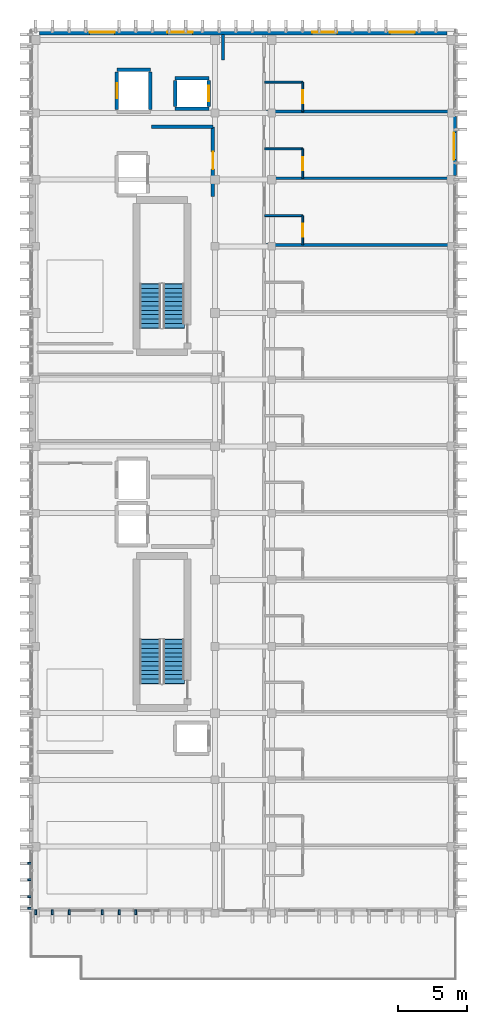
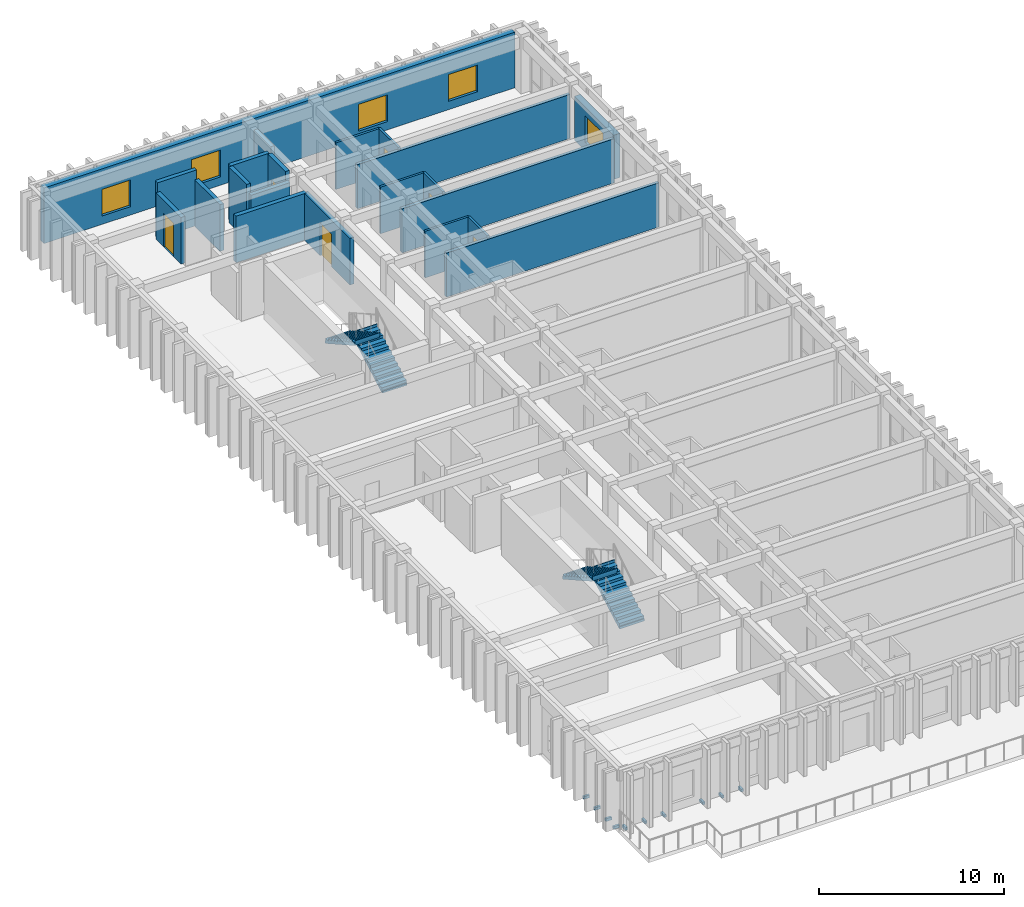
# One storey, part 44 of 50: 21 walls, 10 discrete accessories, 6 doors, 5 windows, 4 stair flights, 11 openings, 2 elements without a shape of their own.
"""IFC4 building model written with IfcOpenShell, lengths in metres."""

from ifc_helpers import new_model, si_unit, direction, frame, frame_2d, origin, origin_2d, place, context, subcontext, project, spatial, polyline, rectangle, outline, extrude, material, layer, layer_set, type_object, element, fill, aggregate, save


model = new_model("IFC4")

# Units and contexts
model_context = context("Model", 3, precision=1e-05, world=origin(), true_north=direction((0.0, 1.0)))
body_context = subcontext(model_context, "Body", "Model", "MODEL_VIEW")
ifc_project = project(units=[si_unit("LENGTHUNIT", "METRE"), si_unit("AREAUNIT", "SQUARE_METRE"), si_unit("VOLUMEUNIT", "CUBIC_METRE"), si_unit("PLANEANGLEUNIT", "RADIAN"), si_unit("MASSUNIT", "GRAM", prefix="KILO")], contexts=[model_context])

# Site, building, storey
site_placement = place(None, origin())
site = spatial("IfcSite", under=ifc_project, at=site_placement, CompositionType="ELEMENT")
building_placement = place(site_placement, origin())
building = spatial("IfcBuilding", under=site, at=building_placement, Name="Nakhvara Creek Congress Hotel", CompositionType="ELEMENT")
storey_placement = place(building_placement, frame((0.0, 0.0, 42.60009765625)))
storey = spatial("IfcBuildingStorey", under=building, at=storey_placement, Name="L10", CompositionType="ELEMENT", Elevation=42.60009765625)

# Wall
ifc_material_1 = material(Name="Gypsum acoustic board on steel stud", Category="steel")
ifc_layer_1 = layer(ifc_material_1, 0.219970703125)
ifc_layer_set_1 = layer_set([ifc_layer_1], Name="Gypsum acoustic board on steel stud")
wall_type_1 = type_object("IfcWallType", Name="W-CORR-220", PredefinedType="PARTITIONING", material=ifc_layer_set_1)
wall_1_placement = place(storey_placement, frame((162.919921875, 123.800048828125, 0.0), z_axis=(0.0, 0.0, 1.0), x_axis=(0.0, 1.0, 0.0)))
element("IfcWall", 1, at=wall_1_placement, inside=storey, type_object=wall_type_1, Name="Interior Wall WP11-IW-L10-0703", PredefinedType="PARTITIONING", context=body_context, shape_type="SweptSolid", body=[
    extrude(rectangle(XDim=1.849853515625, YDim=0.219970703125, at=frame_2d((0.9248046875, 0.0))), origin(), (0.0, 0.0, 1.0), 2.90185546875),
])

# Wall, opening, door
ifc_material_2 = material(Name="Moisture-resistant gypsum board partition")
ifc_layer_2 = layer(ifc_material_2, 0.139892578125)
ifc_layer_set_2 = layer_set([ifc_layer_2], Name="Moisture-resistant gypsum board partition")
wall_type_2 = type_object("IfcWallType", Name="W-ENS-140", PredefinedType="PARTITIONING", material=ifc_layer_set_2)
wall_2_placement = place(storey_placement, frame((168.669921875, 110.5, 0.0), z_axis=(0.0, 0.0, 1.0), x_axis=(0.0, 1.0, 0.0)))
wall_2 = element("IfcWall", 2, at=wall_2_placement, inside=storey, type_object=wall_type_2, Name="Interior Wall WP15-IW-L10-0742", PredefinedType="PARTITIONING", context=body_context, shape_type="SweptSolid", body=[
    extrude(rectangle(XDim=2.115966796875, YDim=0.139892578125, at=frame_2d((1.05810546875, 0.0))), origin(), (0.0, 0.0, 1.0), 3.072021484375),
])
opening_1_placement = place(wall_2_placement, frame((0.5830078125, 0.0, 0.0)))
opening_1 = element("IfcOpeningElement", 3, at=opening_1_placement, cuts=wall_2, Name="Opening ID02", PredefinedType="OPENING", context=body_context, shape_type="SweptSolid", body=[
    extrude(rectangle(XDim=0.9599609375, YDim=2.1201171875, at=frame_2d((0.47998046875, 1.06005859375))), frame((0.0, 0.08203125, 0.0), z_axis=(0.0, -1.0, 0.0), x_axis=(1.0, 0.0, 0.0)), (0.0, 0.0, 1.0), 0.163818359375),
])
ifc_material_3 = material(Name="Moisture-resistant walnut timber door", Category="wood")
door_type_1 = type_object("IfcDoorType", Name="DT-ENS-096", OperationType="NOTDEFINED", PredefinedType="DOOR", material=ifc_material_3)
door_1_placement = place(opening_1_placement, frame((0.9599609375, 0.0, 0.0), z_axis=(0.0, 0.0, 1.0), x_axis=(-1.0, 0.0, 0.0)))
door_1 = element("IfcDoor", 4, at=door_1_placement, inside=storey, type_object=door_type_1, Name="Interior Door ID02-0535", OperationType="SINGLE_SWING_RIGHT", OverallHeight=2.1201171875, OverallWidth=0.9599609375, PredefinedType="DOOR", context=body_context, shape_type="SweptSolid", body=[
    extrude(rectangle(XDim=0.9599609375, YDim=2.1201171875, at=frame_2d((0.47998046875, 1.06005859375))), frame((0.0, 0.02490234375, 0.0), z_axis=(0.0, -1.0, 0.0), x_axis=(1.0, 0.0, 0.0)), (0.0, 0.0, 1.0), 0.050048828125),
])
fill(opening_1, door_1)

# Wall
wall_3_placement = place(storey_placement, frame((165.919921875, 112.615966796875, 0.0), z_axis=(0.0, 0.0, 1.0), x_axis=(1.0, 0.0, 0.0)))
element("IfcWall", 5, at=wall_3_placement, inside=storey, type_object=wall_type_2, Name="Interior Wall WP15-IW-L10-0743", PredefinedType="PARTITIONING", context=body_context, shape_type="SweptSolid", body=[
    extrude(rectangle(XDim=2.75, YDim=0.139892578125, at=frame_2d((1.375, 0.0))), origin(), (0.0, 0.0, 1.0), 3.072021484375),
])

# Wall, opening, door
wall_4_placement = place(storey_placement, frame((168.669921875, 115.300048828125, 0.0), z_axis=(0.0, 0.0, 1.0), x_axis=(0.0, 1.0, 0.0)))
wall_4 = element("IfcWall", 6, at=wall_4_placement, inside=storey, type_object=wall_type_2, Name="Interior Wall WP15-IW-L10-0745", PredefinedType="PARTITIONING", context=body_context, shape_type="SweptSolid", body=[
    extrude(rectangle(XDim=2.115966796875, YDim=0.139892578125, at=frame_2d((1.05810546875, 0.0))), origin(), (0.0, 0.0, 1.0), 3.072021484375),
])
opening_2_placement = place(wall_4_placement, frame((0.5830078125, 0.0, 0.0)))
opening_2 = element("IfcOpeningElement", 7, at=opening_2_placement, cuts=wall_4, Name="Opening ID01", PredefinedType="OPENING", context=body_context, shape_type="SweptSolid", body=[
    extrude(rectangle(XDim=0.919921875, YDim=2.10009765625, at=frame_2d((0.4599609375, 1.050048828125))), frame((0.0, 0.08203125, 0.0), z_axis=(0.0, -1.0, 0.0), x_axis=(1.0, 0.0, 0.0)), (0.0, 0.0, 1.0), 0.163818359375),
])
door_type_2 = type_object("IfcDoorType", Name="DT-ENS-092", OperationType="NOTDEFINED", PredefinedType="DOOR", material=ifc_material_3)
door_2_placement = place(opening_2_placement, frame((0.919921875, 0.0, 0.0), z_axis=(0.0, 0.0, 1.0), x_axis=(-1.0, 0.0, 0.0)))
door_2 = element("IfcDoor", 8, at=door_2_placement, inside=storey, type_object=door_type_2, Name="Interior Door ID01-0537", OperationType="SINGLE_SWING_RIGHT", OverallHeight=2.10009765625, OverallWidth=0.919921875, PredefinedType="DOOR", context=body_context, shape_type="SweptSolid", body=[
    extrude(rectangle(XDim=0.919921875, YDim=2.10009765625, at=frame_2d((0.4599609375, 1.050048828125))), frame((0.0, 0.02490234375, 0.0), z_axis=(0.0, -1.0, 0.0), x_axis=(1.0, 0.0, 0.0)), (0.0, 0.0, 1.0), 0.050048828125),
])
fill(opening_2, door_2)

# Wall
wall_5_placement = place(storey_placement, frame((165.919921875, 117.416015625, 0.0), z_axis=(0.0, 0.0, 1.0), x_axis=(1.0, 0.0, 0.0)))
element("IfcWall", 9, at=wall_5_placement, inside=storey, type_object=wall_type_2, Name="Interior Wall WP15-IW-L10-0746", PredefinedType="PARTITIONING", context=body_context, shape_type="SweptSolid", body=[
    extrude(rectangle(XDim=2.75, YDim=0.139892578125, at=frame_2d((1.375, 0.0))), origin(), (0.0, 0.0, 1.0), 3.072021484375),
])

# Wall, opening, door
wall_6_placement = place(storey_placement, frame((168.669921875, 120.10009765625, 0.0), z_axis=(0.0, 0.0, 1.0), x_axis=(0.0, 1.0, 0.0)))
wall_6 = element("IfcWall", 10, at=wall_6_placement, inside=storey, type_object=wall_type_2, Name="Interior Wall WP15-IW-L10-0748", PredefinedType="PARTITIONING", context=body_context, shape_type="SweptSolid", body=[
    extrude(rectangle(XDim=2.115966796875, YDim=0.139892578125, at=frame_2d((1.05810546875, 0.0))), origin(), (0.0, 0.0, 1.0), 3.072021484375),
])
opening_3_placement = place(wall_6_placement, frame((0.5830078125, 0.0, 0.0)))
opening_3 = element("IfcOpeningElement", 11, at=opening_3_placement, cuts=wall_6, Name="Opening ID02", PredefinedType="OPENING", context=body_context, shape_type="SweptSolid", body=[
    extrude(rectangle(XDim=0.9599609375, YDim=2.1201171875, at=frame_2d((0.47998046875, 1.06005859375))), frame((0.0, 0.08203125, 0.0), z_axis=(0.0, -1.0, 0.0), x_axis=(1.0, 0.0, 0.0)), (0.0, 0.0, 1.0), 0.163818359375),
])
door_3_placement = place(opening_3_placement, frame((0.9599609375, 0.0, 0.0), z_axis=(0.0, 0.0, 1.0), x_axis=(-1.0, 0.0, 0.0)))
door_3 = element("IfcDoor", 12, at=door_3_placement, inside=storey, type_object=door_type_1, Name="Interior Door ID02-0539", OperationType="SINGLE_SWING_RIGHT", OverallHeight=2.1201171875, OverallWidth=0.9599609375, PredefinedType="DOOR", context=body_context, shape_type="SweptSolid", body=[
    extrude(rectangle(XDim=0.9599609375, YDim=2.1201171875, at=frame_2d((0.47998046875, 1.06005859375))), frame((0.0, 0.02490234375, 0.0), z_axis=(0.0, -1.0, 0.0), x_axis=(1.0, 0.0, 0.0)), (0.0, 0.0, 1.0), 0.050048828125),
])
fill(opening_3, door_3)

# Wall
wall_7_placement = place(storey_placement, frame((165.919921875, 122.216064453125, 0.0), z_axis=(0.0, 0.0, 1.0), x_axis=(1.0, 0.0, 0.0)))
element("IfcWall", 13, at=wall_7_placement, inside=storey, type_object=wall_type_2, Name="Interior Wall WP15-IW-L10-0749", PredefinedType="PARTITIONING", context=body_context, shape_type="SweptSolid", body=[
    extrude(rectangle(XDim=2.75, YDim=0.139892578125, at=frame_2d((1.375, 0.0))), origin(), (0.0, 0.0, 1.0), 3.072021484375),
])

# Wall, openings, windows
ifc_material_4 = material(Name="Honed pale Omani limestone cladding", Category="masonry")
ifc_layer_3 = layer(ifc_material_4, 0.050048828125)
ifc_material_5 = material(Name="Mineral wool thermal insulation")
ifc_layer_4 = layer(ifc_material_5, 0.110107421875)
ifc_material_6 = material(Name="Precast concrete C40/50", Category="concrete")
ifc_layer_5 = layer(ifc_material_6, 0.219970703125)
ifc_layer_set_3 = layer_set([ifc_layer_3, ifc_layer_4, ifc_layer_5], Name="Precast concrete C40/50")
wall_type_3 = type_object("IfcWallType", Name="W-EXT-380", PredefinedType="SOLIDWALL", material=ifc_layer_set_3)
wall_8_placement = place(storey_placement, frame((149.735107421875, 125.81005859375, 0.0), z_axis=(0.0, 0.0, 1.0), x_axis=(1.0, 0.0, 0.0)))
wall_8 = element("IfcWall", 14, at=wall_8_placement, inside=storey, type_object=wall_type_3, Name="Exterior Wall WE03-EW-L10-0211", PredefinedType="SOLIDWALL", context=body_context, shape_type="SweptSolid", body=[
    extrude(rectangle(XDim=29.329833984375, YDim=0.3798828125, at=frame_2d((14.6650390625, 0.0))), origin(), (0.0, 0.0, 1.0), 3.659912109375),
])
opening_4_placement = place(wall_8_placement, frame((3.60009765625, 0.0, 0.550048828125)))
opening_4 = element("IfcOpeningElement", 15, at=opening_4_placement, cuts=wall_8, Name="Opening WN0228", PredefinedType="OPENING", context=body_context, shape_type="SweptSolid", body=[
    extrude(rectangle(XDim=1.800048828125, YDim=1.760009765625, at=frame_2d((0.89990234375, 0.8798828125))), frame((0.0, 0.201904296875, 0.0), z_axis=(0.0, -1.0, 0.0), x_axis=(1.0, 0.0, 0.0)), (0.0, 0.0, 1.0), 0.40380859375),
])
opening_5_placement = place(wall_8_placement, frame((9.199951171875, 0.0, 0.550048828125)))
opening_5 = element("IfcOpeningElement", 16, at=opening_5_placement, cuts=wall_8, Name="Opening WN0229", PredefinedType="OPENING", context=body_context, shape_type="SweptSolid", body=[
    extrude(rectangle(XDim=1.800048828125, YDim=1.760009765625, at=frame_2d((0.89990234375, 0.8798828125))), frame((0.0, 0.201904296875, 0.0), z_axis=(0.0, -1.0, 0.0), x_axis=(1.0, 0.0, 0.0)), (0.0, 0.0, 1.0), 0.40380859375),
])
opening_6_placement = place(wall_8_placement, frame((19.60009765625, 0.0, 0.550048828125)))
opening_6 = element("IfcOpeningElement", 17, at=opening_6_placement, cuts=wall_8, Name="Opening WN0230", PredefinedType="OPENING", context=body_context, shape_type="SweptSolid", body=[
    extrude(rectangle(XDim=1.800048828125, YDim=1.760009765625, at=frame_2d((0.89990234375, 0.8798828125))), frame((0.0, 0.201904296875, 0.0), z_axis=(0.0, -1.0, 0.0), x_axis=(1.0, 0.0, 0.0)), (0.0, 0.0, 1.0), 0.40380859375),
])
opening_7_placement = place(wall_8_placement, frame((25.199951171875, 0.0, 0.550048828125)))
opening_7 = element("IfcOpeningElement", 18, at=opening_7_placement, cuts=wall_8, Name="Opening WN0231", PredefinedType="OPENING", context=body_context, shape_type="SweptSolid", body=[
    extrude(rectangle(XDim=1.800048828125, YDim=1.760009765625, at=frame_2d((0.89990234375, 0.8798828125))), frame((0.0, 0.201904296875, 0.0), z_axis=(0.0, -1.0, 0.0), x_axis=(1.0, 0.0, 0.0)), (0.0, 0.0, 1.0), 0.40380859375),
])
ifc_material_7 = material(Name="Thermally broken bronze-anodised aluminium and double-silver low-E insulated glass", Category="aluminium")
window_type_1 = type_object("IfcWindowType", Name="WN-LAN-180X225", PartitioningType="SINGLE_PANEL", PredefinedType="WINDOW", material=ifc_material_7)
window_1_placement = place(opening_4_placement, origin())
window_1 = element("IfcWindow", 19, at=window_1_placement, inside=storey, type_object=window_type_1, Name="Facade Window WN0228", OverallHeight=1.760009765625, OverallWidth=1.800048828125, PartitioningType="SINGLE_PANEL", PredefinedType="WINDOW", context=body_context, shape_type="SweptSolid", body=[
    extrude(rectangle(XDim=1.800048828125, YDim=1.760009765625, at=frame_2d((0.89990234375, 0.8798828125))), frame((0.0, 0.030029296875, 0.0), z_axis=(0.0, -1.0, 0.0), x_axis=(1.0, 0.0, 0.0)), (0.0, 0.0, 1.0), 0.06005859375),
])
fill(opening_4, window_1)
window_2_placement = place(opening_5_placement, origin())
window_2 = element("IfcWindow", 20, at=window_2_placement, inside=storey, type_object=window_type_1, Name="Facade Window WN0229", OverallHeight=1.760009765625, OverallWidth=1.800048828125, PartitioningType="SINGLE_PANEL", PredefinedType="WINDOW", context=body_context, shape_type="SweptSolid", body=[
    extrude(rectangle(XDim=1.800048828125, YDim=1.760009765625, at=frame_2d((0.89990234375, 0.8798828125))), frame((0.0, 0.030029296875, 0.0), z_axis=(0.0, -1.0, 0.0), x_axis=(1.0, 0.0, 0.0)), (0.0, 0.0, 1.0), 0.06005859375),
])
fill(opening_5, window_2)
window_3_placement = place(opening_6_placement, origin())
window_3 = element("IfcWindow", 21, at=window_3_placement, inside=storey, type_object=window_type_1, Name="Facade Window WN0230", OverallHeight=1.760009765625, OverallWidth=1.800048828125, PartitioningType="SINGLE_PANEL", PredefinedType="WINDOW", context=body_context, shape_type="SweptSolid", body=[
    extrude(rectangle(XDim=1.800048828125, YDim=1.760009765625, at=frame_2d((0.89990234375, 0.8798828125))), frame((0.0, 0.030029296875, 0.0), z_axis=(0.0, -1.0, 0.0), x_axis=(1.0, 0.0, 0.0)), (0.0, 0.0, 1.0), 0.06005859375),
])
fill(opening_6, window_3)
window_4_placement = place(opening_7_placement, origin())
window_4 = element("IfcWindow", 22, at=window_4_placement, inside=storey, type_object=window_type_1, Name="Facade Window WN0231", OverallHeight=1.760009765625, OverallWidth=1.800048828125, PartitioningType="SINGLE_PANEL", PredefinedType="WINDOW", context=body_context, shape_type="SweptSolid", body=[
    extrude(rectangle(XDim=1.800048828125, YDim=1.760009765625, at=frame_2d((0.89990234375, 0.8798828125))), frame((0.0, 0.030029296875, 0.0), z_axis=(0.0, -1.0, 0.0), x_axis=(1.0, 0.0, 0.0)), (0.0, 0.0, 1.0), 0.06005859375),
])
fill(opening_7, window_4)

# Wall, opening, window
wall_9_placement = place(storey_placement, frame((179.56005859375, 119.75, 0.0), z_axis=(0.0, 0.0, 1.0), x_axis=(0.0, -1.0, 0.0)))
wall_9 = element("IfcWall", 23, at=wall_9_placement, inside=storey, type_object=wall_type_3, Name="Exterior Wall WE03-EW-L10-0220", PredefinedType="SOLIDWALL", context=body_context, shape_type="SweptSolid", body=[
    extrude(rectangle(XDim=4.264892578125, YDim=0.3798828125, at=frame_2d((2.13232421875, 0.0))), origin(), (0.0, 0.0, 1.0), 2.90185546875),
])
opening_8_placement = place(wall_9_placement, frame((1.157470703125, 0.0, 0.550048828125)))
opening_8 = element("IfcOpeningElement", 24, at=opening_8_placement, cuts=wall_9, Name="Opening WN0240", PredefinedType="OPENING", context=body_context, shape_type="SweptSolid", body=[
    extrude(rectangle(XDim=1.949951171875, YDim=1.77001953125, at=frame_2d((0.97509765625, 0.885009765625))), frame((0.0, 0.201904296875, 0.0), z_axis=(0.0, -1.0, 0.0), x_axis=(1.0, 0.0, 0.0)), (0.0, 0.0, 1.0), 0.40380859375),
])
window_type_2 = type_object("IfcWindowType", Name="WN-LAN-195X230", PartitioningType="SINGLE_PANEL", PredefinedType="WINDOW", material=ifc_material_7)
window_5_placement = place(opening_8_placement, origin())
window_5 = element("IfcWindow", 25, at=window_5_placement, inside=storey, type_object=window_type_2, Name="Facade Window WN0240", OverallHeight=1.77001953125, OverallWidth=1.949951171875, PartitioningType="SINGLE_PANEL", PredefinedType="WINDOW", context=body_context, shape_type="SweptSolid", body=[
    extrude(rectangle(XDim=1.949951171875, YDim=1.77001953125, at=frame_2d((0.97509765625, 0.885009765625))), frame((0.0, 0.030029296875, 0.0), z_axis=(0.0, -1.0, 0.0), x_axis=(1.0, 0.0, 0.0)), (0.0, 0.0, 1.0), 0.06005859375),
])
fill(opening_8, window_5)

# Wall, opening, door
ifc_material_8 = material(Name="Concrete C40/50", Category="concrete")
ifc_layer_6 = layer(ifc_material_8, 0.260009765625)
ifc_layer_set_4 = layer_set([ifc_layer_6], Name="Concrete C40/50")
wall_type_4 = type_object("IfcWallType", Name="W-FFL-260", PredefinedType="SOLIDWALL", material=ifc_layer_set_4)
wall_10_placement = place(storey_placement, frame((162.199951171875, 114.0, 0.0), z_axis=(0.0, 0.0, 1.0), x_axis=(0.0, 1.0, 0.0)))
wall_10 = element("IfcWall", 26, at=wall_10_placement, inside=storey, type_object=wall_type_4, Name="Core Shear Wall WI03-CWALL-L10-0500", PredefinedType="SOLIDWALL", context=body_context, shape_type="SweptSolid", body=[
    extrude(rectangle(XDim=5.0, YDim=0.260009765625, at=frame_2d((2.5, 0.0))), origin(), (0.0, 0.0, 1.0), 3.072021484375),
])
opening_9_placement = place(wall_10_placement, frame((1.949951171875, 0.0, 0.0)))
opening_9 = element("IfcOpeningElement", 27, at=opening_9_placement, cuts=wall_10, Name="Opening FD05", PredefinedType="OPENING", context=body_context, shape_type="SweptSolid", body=[
    extrude(rectangle(XDim=1.25, YDim=2.14990234375, at=frame_2d((0.625, 1.074951171875))), frame((0.0, 0.14208984375, 0.0), z_axis=(0.0, -1.0, 0.0), x_axis=(1.0, 0.0, 0.0)), (0.0, 0.0, 1.0), 0.283935546875),
])
ifc_material_9 = material(Name="Hardwood-veneered steel fire door", Category="steel")
door_type_3 = type_object("IfcDoorType", Name="DT-FFL-125", OperationType="NOTDEFINED", PredefinedType="DOOR", material=ifc_material_9)
door_4_placement = place(opening_9_placement, origin())
door_4 = element("IfcDoor", 28, at=door_4_placement, inside=storey, type_object=door_type_3, Name="Firefighting Lobby Door C2-L10", OperationType="DOUBLE_DOOR_SINGLE_SWING", OverallHeight=2.14990234375, OverallWidth=1.25, PredefinedType="DOOR", context=body_context, shape_type="SweptSolid", body=[
    extrude(rectangle(XDim=1.25, YDim=2.14990234375, at=frame_2d((0.625, 1.074951171875))), frame((0.0, 0.02490234375, 0.0), z_axis=(0.0, -1.0, 0.0), x_axis=(1.0, 0.0, 0.0)), (0.0, 0.0, 1.0), 0.050048828125),
])
fill(opening_9, door_4)

# Walls
wall_11_placement = place(storey_placement, frame((157.800048828125, 119.0, 0.0), z_axis=(0.0, 0.0, 1.0), x_axis=(1.0, 0.0, 0.0)))
element("IfcWall", 29, at=wall_11_placement, inside=storey, type_object=wall_type_4, Name="Core Shear Wall WI03-CWALL-L10-0501", PredefinedType="SOLIDWALL", context=body_context, shape_type="SweptSolid", body=[
    extrude(rectangle(XDim=4.39990234375, YDim=0.260009765625, at=frame_2d((2.199951171875, 0.0))), origin(), (0.0, 0.0, 1.0), 3.072021484375),
])
ifc_layer_7 = layer(ifc_material_1, 0.199951171875)
ifc_layer_set_5 = layer_set([ifc_layer_7], Name="Gypsum acoustic board on steel stud")
wall_type_5 = type_object("IfcWallType", Name="W-PART-200", PredefinedType="PARTITIONING", material=ifc_layer_set_5)
for number, where, z_axis, x_axis, name in (
    (30, (166.02001953125, 110.5, 0.0), (0.0, 0.0, 1.0), (1.0, 0.0, 0.0), "Interior Wall WP12-IW-L10-0741"),
    (31, (166.02001953125, 115.300048828125, 0.0), (0.0, 0.0, 1.0), (1.0, 0.0, 0.0), "Interior Wall WP12-IW-L10-0744"),
    (32, (166.02001953125, 120.10009765625, 0.0), (0.0, 0.0, 1.0), (1.0, 0.0, 0.0), "Interior Wall WP12-IW-L10-0747"),
):
    element("IfcWall", number, at=place(storey_placement, frame(where, z_axis=z_axis, x_axis=x_axis)), inside=storey, type_object=wall_type_5, Name=name, PredefinedType="PARTITIONING", context=body_context, shape_type="SweptSolid", body=[
        extrude(rectangle(XDim=13.22998046875, YDim=0.199951171875, at=frame_2d((6.614990234375, 0.0))), origin(), (0.0, 0.0, 1.0), 2.90185546875),
    ])
ifc_layer_8 = layer(ifc_material_8, 0.25)
ifc_layer_set_6 = layer_set([ifc_layer_8], Name="Concrete C40/50")
wall_type_6 = type_object("IfcWallType", Name="W-SHAFT-250", PredefinedType="SOLIDWALL", material=ifc_layer_set_6)
wall_12_placement = place(storey_placement, frame((159.489990234375, 120.2900390625, 0.0), z_axis=(0.0, 0.0, 1.0), x_axis=(1.0, 0.0, 0.0)))
element("IfcWall", 33, at=wall_12_placement, inside=storey, type_object=wall_type_6, Name="Core Shear Wall WI02-CWALL-L10-0492", PredefinedType="SOLIDWALL", context=body_context, shape_type="SweptSolid", body=[
    extrude(rectangle(XDim=2.419921875, YDim=0.25, at=frame_2d((1.2099609375, 0.0))), origin(), (0.0, 0.0, 1.0), 3.072021484375),
])
wall_13_placement = place(storey_placement, frame((159.489990234375, 122.510009765625, 0.0), z_axis=(0.0, 0.0, 1.0), x_axis=(1.0, 0.0, 0.0)))
element("IfcWall", 34, at=wall_13_placement, inside=storey, type_object=wall_type_6, Name="Core Shear Wall WI02-CWALL-L10-0493", PredefinedType="SOLIDWALL", context=body_context, shape_type="SweptSolid", body=[
    extrude(rectangle(XDim=2.419921875, YDim=0.25, at=frame_2d((1.2099609375, 0.0))), origin(), (0.0, 0.0, 1.0), 3.659912109375),
])
wall_14_placement = place(storey_placement, frame((159.489990234375, 120.449951171875, 0.0), z_axis=(0.0, 0.0, 1.0), x_axis=(0.0, 1.0, 0.0)))
element("IfcWall", 35, at=wall_14_placement, inside=storey, type_object=wall_type_6, Name="Core Shear Wall WI02-CWALL-L10-0494", PredefinedType="SOLIDWALL", context=body_context, shape_type="SweptSolid", body=[
    extrude(rectangle(XDim=1.900146484375, YDim=0.25, at=frame_2d((0.9501953125, 0.0))), origin(), (0.0, 0.0, 1.0), 3.659912109375),
])

# Wall, opening, door
wall_15_placement = place(storey_placement, frame((161.909912109375, 120.449951171875, 0.0), z_axis=(0.0, 0.0, 1.0), x_axis=(0.0, 1.0, 0.0)))
wall_15 = element("IfcWall", 36, at=wall_15_placement, inside=storey, type_object=wall_type_6, Name="Core Shear Wall WI02-CWALL-L10-0495", PredefinedType="SOLIDWALL", context=body_context, shape_type="SweptSolid", body=[
    extrude(rectangle(XDim=1.900146484375, YDim=0.25, at=frame_2d((0.9501953125, 0.0))), origin(), (0.0, 0.0, 1.0), 3.659912109375),
])
opening_10_placement = place(wall_15_placement, frame((0.39990234375, 0.0, 0.0)))
opening_10 = element("IfcOpeningElement", 37, at=opening_10_placement, cuts=wall_15, Name="Opening LD01", PredefinedType="OPENING", context=body_context, shape_type="SweptSolid", body=[
    extrude(rectangle(XDim=1.10009765625, YDim=2.199951171875, at=frame_2d((0.550048828125, 1.10009765625))), frame((0.0, 0.136962890625, 0.0), z_axis=(0.0, -1.0, 0.0), x_axis=(1.0, 0.0, 0.0)), (0.0, 0.0, 1.0), 0.27392578125),
])
ifc_material_10 = material(Name="Brushed stainless steel sliding landing door", Category="steel")
door_type_4 = type_object("IfcDoorType", Name="DT-LIFT-110", OperationType="DOUBLE_DOOR_SLIDING", PredefinedType="DOOR", material=ifc_material_10)
door_5_placement = place(opening_10_placement, origin())
door_5 = element("IfcDoor", 38, at=door_5_placement, inside=storey, type_object=door_type_4, Name="Landing Door PL01-L10", OperationType="SLIDING_TO_LEFT", OverallHeight=2.199951171875, OverallWidth=1.10009765625, PredefinedType="DOOR", context=body_context, shape_type="SweptSolid", body=[
    extrude(rectangle(XDim=1.10009765625, YDim=2.199951171875, at=frame_2d((0.550048828125, 1.10009765625))), frame((0.0, 0.02490234375, 0.0), z_axis=(0.0, -1.0, 0.0), x_axis=(1.0, 0.0, 0.0)), (0.0, 0.0, 1.0), 0.050048828125),
])
fill(opening_10, door_5)

# Wall
wall_16_placement = place(storey_placement, frame((155.2900390625, 123.110107421875, 0.0), z_axis=(0.0, 0.0, 1.0), x_axis=(1.0, 0.0, 0.0)))
element("IfcWall", 39, at=wall_16_placement, inside=storey, type_object=wall_type_6, Name="Core Shear Wall WI02-CWALL-L10-0497", PredefinedType="SOLIDWALL", context=body_context, shape_type="SweptSolid", body=[
    extrude(rectangle(XDim=2.419921875, YDim=0.25, at=frame_2d((1.2099609375, 0.0))), origin(), (0.0, 0.0, 1.0), 3.659912109375),
])

# Wall, opening, door
wall_17_placement = place(storey_placement, frame((155.2900390625, 120.25, 0.0), z_axis=(0.0, 0.0, 1.0), x_axis=(0.0, 1.0, 0.0)))
wall_17 = element("IfcWall", 40, at=wall_17_placement, inside=storey, type_object=wall_type_6, Name="Core Shear Wall WI02-CWALL-L10-0498", PredefinedType="SOLIDWALL", context=body_context, shape_type="SweptSolid", body=[
    extrude(rectangle(XDim=2.699951171875, YDim=0.25, at=frame_2d((1.35009765625, 0.0))), origin(), (0.0, 0.0, 1.0), 3.072021484375),
])
opening_11_placement = place(wall_17_placement, frame((0.800048828125, 0.0, 0.0)))
opening_11 = element("IfcOpeningElement", 41, at=opening_11_placement, cuts=wall_17, Name="Opening LD01", PredefinedType="OPENING", context=body_context, shape_type="SweptSolid", body=[
    extrude(rectangle(XDim=1.10009765625, YDim=2.199951171875, at=frame_2d((0.550048828125, 1.10009765625))), frame((0.0, 0.136962890625, 0.0), z_axis=(0.0, -1.0, 0.0), x_axis=(1.0, 0.0, 0.0)), (0.0, 0.0, 1.0), 0.27392578125),
])
door_6_placement = place(opening_11_placement, origin())
door_6 = element("IfcDoor", 42, at=door_6_placement, inside=storey, type_object=door_type_4, Name="Landing Door SL02-L10", OperationType="SLIDING_TO_LEFT", OverallHeight=2.199951171875, OverallWidth=1.10009765625, PredefinedType="DOOR", context=body_context, shape_type="SweptSolid", body=[
    extrude(rectangle(XDim=1.10009765625, YDim=2.199951171875, at=frame_2d((0.550048828125, 1.10009765625))), frame((0.0, 0.02490234375, 0.0), z_axis=(0.0, -1.0, 0.0), x_axis=(1.0, 0.0, 0.0)), (0.0, 0.0, 1.0), 0.050048828125),
])
fill(opening_11, door_6)

# Wall
wall_18_placement = place(storey_placement, frame((157.7099609375, 120.25, 0.0), z_axis=(0.0, 0.0, 1.0), x_axis=(0.0, 1.0, 0.0)))
element("IfcWall", 43, at=wall_18_placement, inside=storey, type_object=wall_type_6, Name="Core Shear Wall WI02-CWALL-L10-0499", PredefinedType="SOLIDWALL", context=body_context, shape_type="SweptSolid", body=[
    extrude(rectangle(XDim=2.699951171875, YDim=0.25, at=frame_2d((1.35009765625, 0.0))), origin(), (0.0, 0.0, 1.0), 3.072021484375),
])

# Stair, stair flights
stair_type = type_object("IfcStairType", Name="ST-CORE-160", PredefinedType="HALF_TURN_STAIR", material=ifc_material_8)
stair_1_placement = place(storey_placement, origin())
stair_1 = element("IfcStair", 44, at=stair_1_placement, inside=storey, type_object=stair_type, Name="L10 Protected Exit Stair ST01", PredefinedType="HALF_TURN_STAIR")
ifc_layer_9 = layer(ifc_material_8, 0.18994140625)
ifc_layer_set_7 = layer_set([ifc_layer_9], Name="Concrete C40/50")
stair_flight_type = type_object("IfcStairFlightType", Name="SFL-RC-160", PredefinedType="STRAIGHT", material=ifc_layer_set_7)
stair_flight_1_placement = place(storey_placement, frame((159.3798828125, 78.93994140625, 0.0), z_axis=(0.0, 0.0, 1.0), x_axis=(0.0, 1.0, 0.0)))
stair_flight_1 = element("IfcStairFlight", 45, at=stair_flight_1_placement, type_object=stair_flight_type, Name="ST01 flight 1", NumberOfRisers=11, NumberOfTreads=10, PredefinedType="STRAIGHT", RiserHeight=0.177272727, TreadLength=0.315, context=body_context, shape_type="SweptSolid", body=[
    extrude(outline(polyline([(-0.048095703125, 0.0), (0.0, 0.0), (0.0, 0.17724609375), (0.31494140625, 0.17724609375), (0.31494140625, 0.3544921875), (0.6298828125, 0.3544921875), (0.6298828125, 0.53173828125), (0.945068359375, 0.53173828125), (0.945068359375, 0.708984375), (1.260009765625, 0.708984375), (1.260009765625, 0.886474609375), (1.574951171875, 0.886474609375), (1.574951171875, 1.063720703125), (1.889892578125, 1.063720703125), (1.889892578125, 1.240966796875), (2.205078125, 1.240966796875), (2.205078125, 1.418212890625), (2.52001953125, 1.418212890625), (2.52001953125, 1.595458984375), (2.8349609375, 1.595458984375), (2.8349609375, 1.772705078125), (3.14990234375, 1.772705078125), (3.14990234375, 1.949951171875), (3.197998046875, 1.949951171875), (3.197998046875, 1.800048828125), (3.14990234375, 1.600830078125), (0.039306640625, -0.14990234375), (-0.048095703125, -0.14990234375), (-0.048095703125, 0.0)])), frame((0.0, 0.77001953125, 0.0), z_axis=(0.0, -1.0, 0.0), x_axis=(1.0, 0.0, 0.0)), (0.0, 0.0, 1.0), 1.5400390625),
])
stair_flight_2_placement = place(storey_placement, frame((157.68994140625, 82.090087890625, 1.949951171875), z_axis=(0.0, 0.0, 1.0), x_axis=(0.0, -1.0, 0.0)))
stair_flight_2 = element("IfcStairFlight", 46, at=stair_flight_2_placement, type_object=stair_flight_type, Name="ST01 flight 2", NumberOfRisers=11, NumberOfTreads=10, PredefinedType="STRAIGHT", RiserHeight=0.177272727, TreadLength=0.315, context=body_context, shape_type="SweptSolid", body=[
    extrude(outline(polyline([(-0.048095703125, 0.0), (0.0, 0.0), (0.0, 0.17724609375), (0.31494140625, 0.17724609375), (0.31494140625, 0.3544921875), (0.6298828125, 0.3544921875), (0.6298828125, 0.53173828125), (0.945068359375, 0.53173828125), (0.945068359375, 0.708984375), (1.260009765625, 0.708984375), (1.260009765625, 0.886474609375), (1.574951171875, 0.886474609375), (1.574951171875, 1.063720703125), (1.889892578125, 1.063720703125), (1.889892578125, 1.240966796875), (2.205078125, 1.240966796875), (2.205078125, 1.418212890625), (2.52001953125, 1.418212890625), (2.52001953125, 1.595458984375), (2.8349609375, 1.595458984375), (2.8349609375, 1.772705078125), (3.14990234375, 1.772705078125), (3.14990234375, 1.949951171875), (3.197998046875, 1.949951171875), (3.197998046875, 1.800048828125), (3.14990234375, 1.600830078125), (0.039306640625, -0.14990234375), (-0.048095703125, -0.14990234375), (-0.048095703125, 0.0)])), frame((0.0, 0.77001953125, 0.0), z_axis=(0.0, -1.0, 0.0), x_axis=(1.0, 0.0, 0.0)), (0.0, 0.0, 1.0), 1.5400390625),
])
aggregate(stair_1, [stair_flight_1, stair_flight_2])

stair_2_placement = place(storey_placement, origin())
stair_2 = element("IfcStair", 47, at=stair_2_placement, inside=storey, type_object=stair_type, Name="L10 Protected Exit Stair ST02", PredefinedType="HALF_TURN_STAIR")
stair_flight_3_placement = place(storey_placement, frame((159.3798828125, 104.5400390625, 0.0), z_axis=(0.0, 0.0, 1.0), x_axis=(0.0, 1.0, 0.0)))
stair_flight_3 = element("IfcStairFlight", 48, at=stair_flight_3_placement, type_object=stair_flight_type, Name="ST02 flight 1", NumberOfRisers=11, NumberOfTreads=10, PredefinedType="STRAIGHT", RiserHeight=0.177272727, TreadLength=0.315, context=body_context, shape_type="SweptSolid", body=[
    extrude(outline(polyline([(-0.048095703125, 0.0), (0.0, 0.0), (0.0, 0.17724609375), (0.31494140625, 0.17724609375), (0.31494140625, 0.3544921875), (0.6298828125, 0.3544921875), (0.6298828125, 0.53173828125), (0.945068359375, 0.53173828125), (0.945068359375, 0.708984375), (1.260009765625, 0.708984375), (1.260009765625, 0.886474609375), (1.574951171875, 0.886474609375), (1.574951171875, 1.063720703125), (1.889892578125, 1.063720703125), (1.889892578125, 1.240966796875), (2.205078125, 1.240966796875), (2.205078125, 1.418212890625), (2.52001953125, 1.418212890625), (2.52001953125, 1.595458984375), (2.8349609375, 1.595458984375), (2.8349609375, 1.772705078125), (3.14990234375, 1.772705078125), (3.14990234375, 1.949951171875), (3.197998046875, 1.949951171875), (3.197998046875, 1.800048828125), (3.14990234375, 1.600830078125), (0.039306640625, -0.14990234375), (-0.048095703125, -0.14990234375), (-0.048095703125, 0.0)])), frame((0.0, 0.77001953125, 0.0), z_axis=(0.0, -1.0, 0.0), x_axis=(1.0, 0.0, 0.0)), (0.0, 0.0, 1.0), 1.5400390625),
])
stair_flight_4_placement = place(storey_placement, frame((157.68994140625, 107.68994140625, 1.949951171875), z_axis=(0.0, 0.0, 1.0), x_axis=(0.0, -1.0, 0.0)))
stair_flight_4 = element("IfcStairFlight", 49, at=stair_flight_4_placement, type_object=stair_flight_type, Name="ST02 flight 2", NumberOfRisers=11, NumberOfTreads=10, PredefinedType="STRAIGHT", RiserHeight=0.177272727, TreadLength=0.315, context=body_context, shape_type="SweptSolid", body=[
    extrude(outline(polyline([(-0.048095703125, 0.0), (0.0, 0.0), (0.0, 0.17724609375), (0.31494140625, 0.17724609375), (0.31494140625, 0.3544921875), (0.6298828125, 0.3544921875), (0.6298828125, 0.53173828125), (0.945068359375, 0.53173828125), (0.945068359375, 0.708984375), (1.260009765625, 0.708984375), (1.260009765625, 0.886474609375), (1.574951171875, 0.886474609375), (1.574951171875, 1.063720703125), (1.889892578125, 1.063720703125), (1.889892578125, 1.240966796875), (2.205078125, 1.240966796875), (2.205078125, 1.418212890625), (2.52001953125, 1.418212890625), (2.52001953125, 1.595458984375), (2.8349609375, 1.595458984375), (2.8349609375, 1.772705078125), (3.14990234375, 1.772705078125), (3.14990234375, 1.949951171875), (3.197998046875, 1.949951171875), (3.197998046875, 1.800048828125), (3.14990234375, 1.600830078125), (0.039306640625, -0.14990234375), (-0.048095703125, -0.14990234375), (-0.048095703125, 0.0)])), frame((0.0, 0.77001953125, 0.0), z_axis=(0.0, -1.0, 0.0), x_axis=(1.0, 0.0, 0.0)), (0.0, 0.0, 1.0), 1.5400390625),
])
aggregate(stair_2, [stair_flight_3, stair_flight_4])

# Discrete accessories
ifc_material_11 = material(Name="Brushed stainless steel 316L", Category="steel")
discrete_accessory_type = type_object("IfcDiscreteAccessoryType", Name="ACC-BRK-SS316", PredefinedType="BRACKET", material=ifc_material_11)
for number, where, z_axis, x_axis, name in (
    (50, (149.070068359375, 62.75, -0.10986328125), (0.0, 0.0, 1.0), (0.0, 1.0, 0.0), "Stainless Fin Bracket BK01-2158"),
    (51, (149.070068359375, 63.60009765625, -0.10986328125), (0.0, 0.0, 1.0), (0.0, 1.0, 0.0), "Stainless Fin Bracket BK01-2160"),
    (52, (149.070068359375, 64.800048828125, -0.10986328125), (0.0, 0.0, 1.0), (0.0, 1.0, 0.0), "Stainless Fin Bracket BK01-2162"),
    (53, (149.070068359375, 66.0, -0.10986328125), (0.0, 0.0, 1.0), (0.0, 1.0, 0.0), "Stainless Fin Bracket BK01-2164"),
    (54, (149.449951171875, 62.4599609375, -0.10986328125), (0.0, 0.0, 1.0), (1.0, 0.0, 0.0), "Stainless Fin Bracket BK01-2261"),
    (55, (150.64990234375, 62.4599609375, -0.10986328125), (0.0, 0.0, 1.0), (1.0, 0.0, 0.0), "Stainless Fin Bracket BK01-2263"),
    (56, (151.85009765625, 62.4599609375, -0.10986328125), (0.0, 0.0, 1.0), (1.0, 0.0, 0.0), "Stainless Fin Bracket BK01-2265"),
    (57, (154.25, 62.4599609375, -0.10986328125), (0.0, 0.0, 1.0), (1.0, 0.0, 0.0), "Stainless Fin Bracket BK01-2267"),
    (58, (155.449951171875, 62.4599609375, -0.10986328125), (0.0, 0.0, 1.0), (1.0, 0.0, 0.0), "Stainless Fin Bracket BK01-2269"),
    (59, (156.64990234375, 62.4599609375, -0.10986328125), (0.0, 0.0, 1.0), (1.0, 0.0, 0.0), "Stainless Fin Bracket BK01-2271"),
):
    element("IfcDiscreteAccessory", number, at=place(storey_placement, frame(where, z_axis=z_axis, x_axis=x_axis)), inside=storey, type_object=discrete_accessory_type, Name=name, PredefinedType="BRACKET", context=body_context, shape_type="SweptSolid", body=[
        extrude(rectangle(XDim=0.139892578125, YDim=0.360107421875, at=origin_2d()), origin(), (0.0, 0.0, 1.0), 0.179931640625),
    ])

save(model, "model.ifc")
